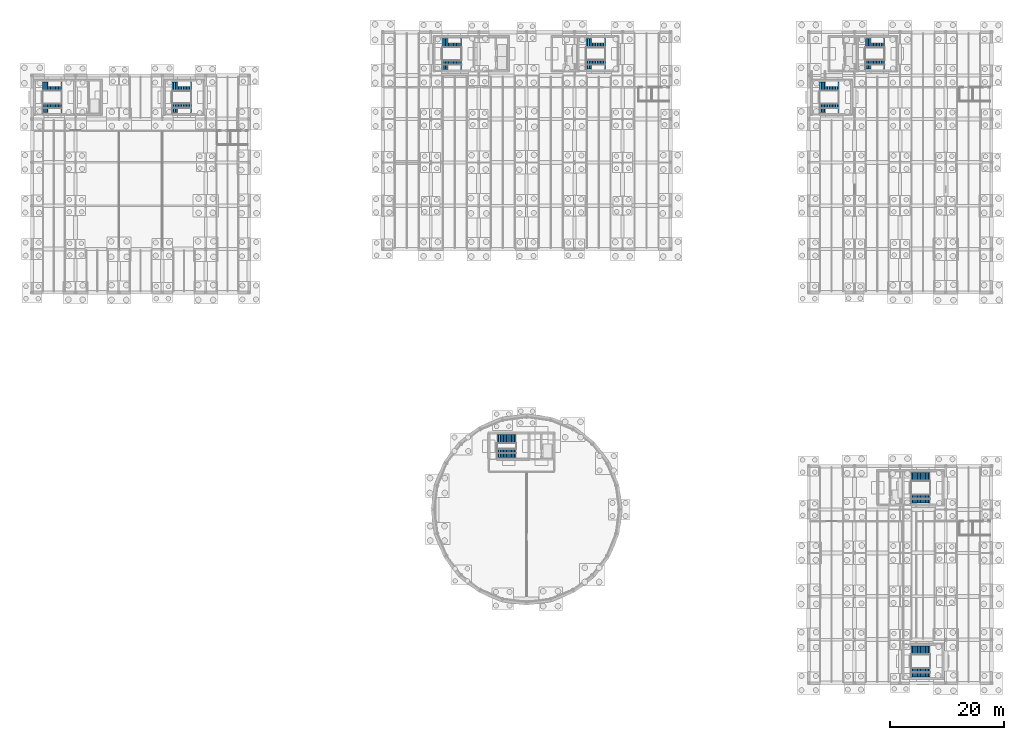
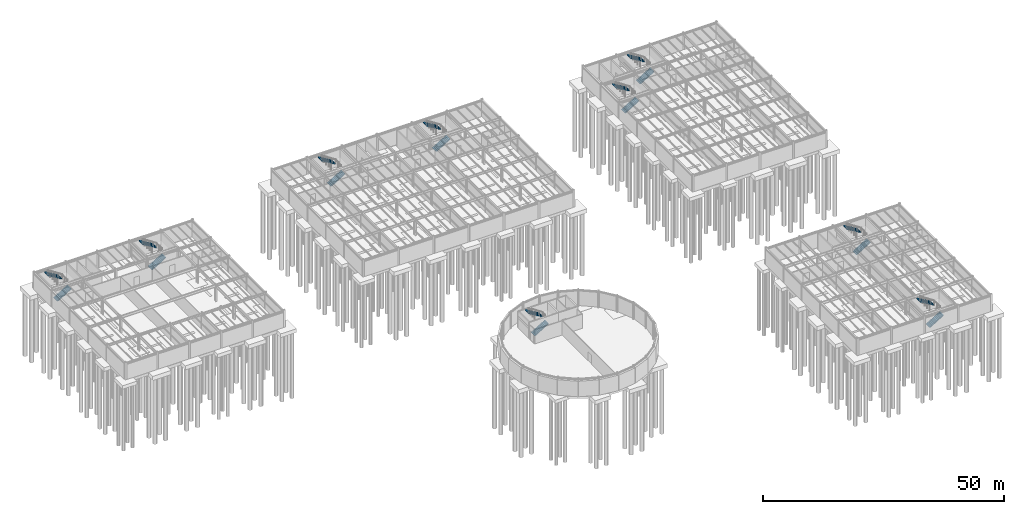
# One storey, part 30 of 33: 18 stair flights, 9 elements without a shape of their own.
"""IFC4 building model written with IfcOpenShell, lengths in metres."""

import ifcopenshell
import ifcopenshell.guid

model = None  # the IFC model being written
_history = None  # IfcOwnerHistory: only IFC2X3 demands one
_inside = {}  # id of a spatial element -> (the spatial element, [elements in it])
_under = {}  # id of a project, library or spatial element -> (it, [spatial elements below it])
_declared = {}  # id of a project -> (the project, [libraries it declares])
_typed = {}  # id of a type object -> (the type object, [elements of that type])
_made_of = {}  # id of a material, layer set ... -> (it, [elements and type objects made of it])


def new_model(schema):
    """Start an empty IFC model of exactly this schema.

    Asked for "IFC4X3", IfcOpenShell would pick the latest addendum, in which some entities
    have other attributes; the version numbers below select the first issue.
    IFC2X3 requires an IfcOwnerHistory on every rooted entity: one is made here for all.
    """
    global model, _history
    if schema == "IFC4X3":
        model = ifcopenshell.file(schema_version=(4, 3, 0, 0))
    else:
        model = ifcopenshell.file(schema=schema)
    _inside.clear()
    _under.clear()
    _declared.clear()
    _typed.clear()
    _made_of.clear()
    _history = None
    if model.schema == "IFC2X3":
        org = make("IfcOrganization", Name="unknown")
        user = make(
            "IfcPersonAndOrganization",
            ThePerson=make("IfcPerson", FamilyName="unknown"),
            TheOrganization=org,
        )
        app = make(
            "IfcApplication",
            ApplicationDeveloper=org,
            Version="unknown",
            ApplicationFullName="unknown",
            ApplicationIdentifier="unknown",
        )
        _history = make(
            "IfcOwnerHistory",
            OwningUser=user,
            OwningApplication=app,
            ChangeAction="ADDED",
            CreationDate=0,
        )
    return model


def make(cls, **values):
    """One entity of the class cls with the attributes given. An attribute that is None is left unset."""
    return model.create_entity(
        cls, **{name: value for name, value in values.items() if value is not None}
    )


def rooted(cls, **values):
    """An entity with a GlobalId (a new one), such as an element, a storey or a relation."""
    return make(cls, GlobalId=ifcopenshell.guid.new(), OwnerHistory=_history, **values)


def si_unit(unit_type, name, prefix=None):
    """IfcSIUnit, for example si_unit("LENGTHUNIT", "METRE", prefix="MILLI")."""
    return make("IfcSIUnit", UnitType=unit_type, Prefix=prefix, Name=name)


def assignment(units):
    """IfcUnitAssignment: the units of a project."""
    return None if units is None else make("IfcUnitAssignment", Units=units)


def point(xyz):
    """IfcCartesianPoint."""
    return None if xyz is None else make("IfcCartesianPoint", Coordinates=xyz)


def direction(xyz):
    """IfcDirection."""
    return None if xyz is None else make("IfcDirection", DirectionRatios=xyz)


def frame(location, z_axis=None, x_axis=None):
    """IfcAxis2Placement3D, a coordinate frame: its origin and axes. An axis left out is left unset."""
    return make(
        "IfcAxis2Placement3D",
        Location=point(location),
        Axis=direction(z_axis),
        RefDirection=direction(x_axis),
    )


def origin():
    """The frame at (0, 0, 0) with its axes left unset."""
    return frame((0.0, 0.0, 0.0))


def place(relative_to, where):
    """IfcLocalPlacement: puts the frame where relative to a parent placement (None: the world)."""
    return make(
        "IfcLocalPlacement", PlacementRelTo=relative_to, RelativePlacement=where
    )


def context(
    kind, dimensions, precision=None, world=None, true_north=None, identifier=None
):
    """IfcGeometricRepresentationContext, for example the 3D "Model" context."""
    return make(
        "IfcGeometricRepresentationContext",
        ContextIdentifier=identifier,
        ContextType=kind,
        CoordinateSpaceDimension=dimensions,
        Precision=precision,
        WorldCoordinateSystem=world,
        TrueNorth=true_north,
    )


def subcontext(parent, identifier, kind, view, scale=None):
    """IfcGeometricRepresentationSubContext, for example "Body" below "Model"."""
    return make(
        "IfcGeometricRepresentationSubContext",
        ContextIdentifier=identifier,
        ContextType=kind,
        ParentContext=parent,
        TargetScale=scale,
        TargetView=view,
    )


def project(units=None, contexts=None):
    """IfcProject with its units and contexts."""
    return rooted(
        "IfcProject",
        Name="project",
        RepresentationContexts=contexts,
        UnitsInContext=assignment(units),
    )


def spatial(cls, under=None, at=None, **own):
    """A site, building, storey or space (cls), placed at a placement, below another one or the project."""
    s = rooted(cls, ObjectPlacement=at, **own)
    if under is not None:
        _under.setdefault(under.id(), (under, []))[1].append(s)
    return s


def polyline(points):
    """IfcPolyline through the points."""
    return make("IfcPolyline", Points=[point(p) for p in points])


def outline(outer, holes=None, kind="AREA"):
    """IfcArbitraryClosedProfileDef: a profile drawn as a closed curve; with holes, ...WithVoids."""
    if holes is None:
        return make("IfcArbitraryClosedProfileDef", ProfileType=kind, OuterCurve=outer)
    return make(
        "IfcArbitraryProfileDefWithVoids",
        ProfileType=kind,
        OuterCurve=outer,
        InnerCurves=holes,
    )


def extrude(swept, where, along, depth):
    """IfcExtrudedAreaSolid: the profile swept, set in the frame where, extruded along a direction by depth."""
    return make(
        "IfcExtrudedAreaSolid",
        SweptArea=swept,
        Position=where,
        ExtrudedDirection=direction(along),
        Depth=depth,
    )


def shape(context_of_items, identifier, shape_type, items):
    """IfcShapeRepresentation: the items that make up one representation, for example the "Body"."""
    return make(
        "IfcShapeRepresentation",
        ContextOfItems=context_of_items,
        RepresentationIdentifier=identifier,
        RepresentationType=shape_type,
        Items=items,
    )


def material(Name=None, Category=None):
    """IfcMaterial."""
    return make("IfcMaterial", Name=Name, Category=Category)


def made_of(thing, what):
    """Note that an element or type object is made of a material, layer set ...; save() writes the relation."""
    if what is not None:
        _made_of.setdefault(what.id(), (what, []))[1].append(thing)
    return thing


def type_object(cls, material=None, **own):
    """A type object (cls), such as IfcWallType, which elements share."""
    return made_of(rooted(cls, **own), material)


def element(
    cls,
    number,
    at=None,
    inside=None,
    cuts=None,
    type_object=None,
    material=None,
    context=None,
    identifier="Body",
    shape_type=None,
    held_by="IfcProductDefinitionShape",
    body=None,
    shapes=None,
    **own,
):
    """One element of the class cls, such as IfcWall. Its Tag is "e" and its number.

    at: its placement. inside: the storey or other place that contains it. cuts: it is an
    opening in that element (IfcRelVoidsElement). A single representation is given by context,
    identifier, shape_type and body (its items); several are given by shapes. held_by: the class
    of the entity that holds the representations. save() writes the other relations.
    """
    e = rooted(cls, Tag="e%d" % number, ObjectPlacement=at, **own)
    if body is not None:
        shapes = [shape(context, identifier, shape_type, body)]
    if shapes is not None:
        e.Representation = make(held_by, Representations=shapes)
    if inside is not None:
        _inside.setdefault(inside.id(), (inside, []))[1].append(e)
    if cuts is not None:
        rooted(
            "IfcRelVoidsElement", RelatingBuildingElement=cuts, RelatedOpeningElement=e
        )
    if type_object is not None:
        _typed.setdefault(type_object.id(), (type_object, []))[1].append(e)
    return made_of(e, material)


def aggregate(whole, parts):
    """IfcRelAggregates: a whole, such as a stair, and the parts it consists of."""
    return rooted("IfcRelAggregates", RelatingObject=whole, RelatedObjects=parts)


def save(model, path):
    """Write the relations noted so far, then the file.

    IfcRelAggregates (storeys below a building ...), IfcRelContainedInSpatialStructure (elements
    in a storey), IfcRelDefinesByType, IfcRelAssociatesMaterial and IfcRelDeclares: one each for
    every whole, place, type object, material and project.
    """
    for whole, parts in _under.values():
        aggregate(whole, parts)
    for where, things in _inside.values():
        rooted(
            "IfcRelContainedInSpatialStructure",
            RelatedElements=things,
            RelatingStructure=where,
        )
    for kind, things in _typed.values():
        rooted("IfcRelDefinesByType", RelatedObjects=things, RelatingType=kind)
    for what, things in _made_of.values():
        rooted("IfcRelAssociatesMaterial", RelatedObjects=things, RelatingMaterial=what)
    for by, libraries in _declared.values():
        rooted("IfcRelDeclares", RelatingContext=by, RelatedDefinitions=libraries)
    model.write(path)


model = new_model("IFC4")

# Units and contexts
model_context = context("Model", 3, precision=1e-05, world=origin(), true_north=direction((0.0, 1.0)))
body_context = subcontext(model_context, "Body", "Model", "MODEL_VIEW")
ifc_project = project(units=[si_unit("LENGTHUNIT", "METRE"), si_unit("AREAUNIT", "SQUARE_METRE"), si_unit("VOLUMEUNIT", "CUBIC_METRE"), si_unit("PLANEANGLEUNIT", "RADIAN"), si_unit("MASSUNIT", "GRAM", prefix="KILO")], contexts=[model_context])

# Site, building, storey
site_placement = place(None, origin())
site = spatial("IfcSite", under=ifc_project, at=site_placement, CompositionType="ELEMENT")
building_placement = place(site_placement, origin())
building = spatial("IfcBuilding", under=site, at=building_placement, Name="Montecoro Central Library", CompositionType="ELEMENT")
storey_placement = place(building_placement, frame((0.0, 0.0, -4.419921875)))
storey = spatial("IfcBuildingStorey", under=building, at=storey_placement, Name="B1", CompositionType="ELEMENT", Elevation=-4.419921875)

# Stair, stair flights
ifc_material = material(Name="Concrete C35/45", Category="concrete")
stair_type_1 = type_object("IfcStairType", Name="STR-RET-150", PredefinedType="HALF_TURN_STAIR", material=ifc_material)
stair_1_placement = place(storey_placement, origin())
stair_1 = element("IfcStair", 1, at=stair_1_placement, inside=storey, type_object=stair_type_1, Name="C1-B1-STR", PredefinedType="HALF_TURN_STAIR")
stair_flight_type_1 = type_object("IfcStairFlightType", Name="SFL-01", PredefinedType="STRAIGHT", material=ifc_material)
stair_flight_1_placement = place(storey_placement, frame((86.419921875, 45.25, 0.0), z_axis=(0.0, 0.0, 1.0), x_axis=(1.0, 0.0, 0.0)))
stair_flight_1 = element("IfcStairFlight", 2, at=stair_flight_1_placement, type_object=stair_flight_type_1, Name="ST-01 flight 1", NumberOfRisers=13, NumberOfTreads=12, PredefinedType="STRAIGHT", RiserHeight=0.17, TreadLength=0.28, context=body_context, shape_type="SweptSolid", body=[
    extrude(outline(polyline([(0.0, 0.0), (0.0, 0.169921875), (0.280029296875, 0.169921875), (0.280029296875, 0.340087890625), (0.56005859375, 0.340087890625), (0.56005859375, 0.510009765625), (0.840087890625, 0.510009765625), (0.840087890625, 0.679931640625), (1.1201171875, 0.679931640625), (1.1201171875, 0.85009765625), (1.39990234375, 0.85009765625), (1.39990234375, 1.02001953125), (1.679931640625, 1.02001953125), (1.679931640625, 1.18994140625), (1.9599609375, 1.18994140625), (1.9599609375, 1.360107421875), (2.239990234375, 1.360107421875), (2.239990234375, 1.530029296875), (2.52001953125, 1.530029296875), (2.52001953125, 1.699951171875), (2.800048828125, 1.699951171875), (2.800048828125, 1.8701171875), (3.080078125, 1.8701171875), (3.080078125, 2.0400390625), (3.360107421875, 2.0400390625), (3.360107421875, 2.2099609375), (3.360107421875, 1.85302734375), (0.30810546875, 0.0), (0.0, 0.0)])), frame((0.0, 0.75, 0.0), z_axis=(0.0, -1.0, 0.0), x_axis=(1.0, 0.0, 0.0)), (0.0, 0.0, 1.0), 1.5),
])
stair_flight_2_placement = place(storey_placement, frame((89.780029296875, 47.75, 2.2099609375), z_axis=(0.0, 0.0, 1.0), x_axis=(-1.0, 0.0, 0.0)))
stair_flight_2 = element("IfcStairFlight", 3, at=stair_flight_2_placement, type_object=stair_flight_type_1, Name="ST-01 flight 2", NumberOfRisers=13, NumberOfTreads=12, PredefinedType="STRAIGHT", RiserHeight=0.17, TreadLength=0.28, context=body_context, shape_type="SweptSolid", body=[
    extrude(outline(polyline([(0.0, 0.0), (0.0, 0.169921875), (0.280029296875, 0.169921875), (0.280029296875, 0.340087890625), (0.56005859375, 0.340087890625), (0.56005859375, 0.510009765625), (0.840087890625, 0.510009765625), (0.840087890625, 0.679931640625), (1.1201171875, 0.679931640625), (1.1201171875, 0.85009765625), (1.39990234375, 0.85009765625), (1.39990234375, 1.02001953125), (1.679931640625, 1.02001953125), (1.679931640625, 1.18994140625), (1.9599609375, 1.18994140625), (1.9599609375, 1.360107421875), (2.239990234375, 1.360107421875), (2.239990234375, 1.530029296875), (2.52001953125, 1.530029296875), (2.52001953125, 1.699951171875), (2.800048828125, 1.699951171875), (2.800048828125, 1.8701171875), (3.080078125, 1.8701171875), (3.080078125, 2.0400390625), (3.360107421875, 2.0400390625), (3.360107421875, 2.2099609375), (3.360107421875, 1.85302734375), (0.30810546875, 0.0), (0.0, 0.0)])), frame((0.0, 0.75, 0.0), z_axis=(0.0, -1.0, 0.0), x_axis=(1.0, 0.0, 0.0)), (0.0, 0.0, 1.0), 1.5),
])
aggregate(stair_1, [stair_flight_1, stair_flight_2])

stair_2_placement = place(storey_placement, origin())
stair_2 = element("IfcStair", 4, at=stair_2_placement, inside=storey, type_object=stair_type_1, Name="C7-B1-STR", PredefinedType="HALF_TURN_STAIR")
stair_flight_3_placement = place(storey_placement, frame((158.919921875, 37.25, 0.0), z_axis=(0.0, 0.0, 1.0), x_axis=(1.0, 0.0, 0.0)))
stair_flight_3 = element("IfcStairFlight", 5, at=stair_flight_3_placement, type_object=stair_flight_type_1, Name="ST-07 flight 1", NumberOfRisers=13, NumberOfTreads=12, PredefinedType="STRAIGHT", RiserHeight=0.17, TreadLength=0.28, context=body_context, shape_type="SweptSolid", body=[
    extrude(outline(polyline([(0.0, 0.0), (0.0, 0.169921875), (0.280029296875, 0.169921875), (0.280029296875, 0.340087890625), (0.56005859375, 0.340087890625), (0.56005859375, 0.510009765625), (0.840087890625, 0.510009765625), (0.840087890625, 0.679931640625), (1.1201171875, 0.679931640625), (1.1201171875, 0.85009765625), (1.39990234375, 0.85009765625), (1.39990234375, 1.02001953125), (1.679931640625, 1.02001953125), (1.679931640625, 1.18994140625), (1.9599609375, 1.18994140625), (1.9599609375, 1.360107421875), (2.239990234375, 1.360107421875), (2.239990234375, 1.530029296875), (2.52001953125, 1.530029296875), (2.52001953125, 1.699951171875), (2.800048828125, 1.699951171875), (2.800048828125, 1.8701171875), (3.080078125, 1.8701171875), (3.080078125, 2.0400390625), (3.360107421875, 2.0400390625), (3.360107421875, 2.2099609375), (3.360107421875, 1.85302734375), (0.30810546875, 0.0), (0.0, 0.0)])), frame((0.0, 0.75, 0.0), z_axis=(0.0, -1.0, 0.0), x_axis=(1.0, 0.0, 0.0)), (0.0, 0.0, 1.0), 1.5),
])
stair_flight_4_placement = place(storey_placement, frame((162.280029296875, 41.14990234375, 2.2099609375), z_axis=(0.0, 0.0, 1.0), x_axis=(-1.0, 0.0, 0.0)))
stair_flight_4 = element("IfcStairFlight", 6, at=stair_flight_4_placement, type_object=stair_flight_type_1, Name="ST-07 flight 2", NumberOfRisers=13, NumberOfTreads=12, PredefinedType="STRAIGHT", RiserHeight=0.17, TreadLength=0.28, context=body_context, shape_type="SweptSolid", body=[
    extrude(outline(polyline([(0.0, 0.0), (0.0, 0.169921875), (0.280029296875, 0.169921875), (0.280029296875, 0.340087890625), (0.56005859375, 0.340087890625), (0.56005859375, 0.510009765625), (0.840087890625, 0.510009765625), (0.840087890625, 0.679931640625), (1.1201171875, 0.679931640625), (1.1201171875, 0.85009765625), (1.39990234375, 0.85009765625), (1.39990234375, 1.02001953125), (1.679931640625, 1.02001953125), (1.679931640625, 1.18994140625), (1.9599609375, 1.18994140625), (1.9599609375, 1.360107421875), (2.239990234375, 1.360107421875), (2.239990234375, 1.530029296875), (2.52001953125, 1.530029296875), (2.52001953125, 1.699951171875), (2.800048828125, 1.699951171875), (2.800048828125, 1.8701171875), (3.080078125, 1.8701171875), (3.080078125, 2.0400390625), (3.360107421875, 2.0400390625), (3.360107421875, 2.2099609375), (3.360107421875, 1.85302734375), (0.30810546875, 0.0), (0.0, 0.0)])), frame((0.0, 0.75, 0.0), z_axis=(0.0, -1.0, 0.0), x_axis=(1.0, 0.0, 0.0)), (0.0, 0.0, 1.0), 1.5),
])
aggregate(stair_2, [stair_flight_3, stair_flight_4])

stair_3_placement = place(storey_placement, origin())
stair_3 = element("IfcStair", 7, at=stair_3_placement, inside=storey, type_object=stair_type_1, Name="C10-B1-STR", PredefinedType="HALF_TURN_STAIR")
stair_flight_5_placement = place(storey_placement, frame((158.919921875, 6.85009765625, 0.0), z_axis=(0.0, 0.0, 1.0), x_axis=(1.0, 0.0, 0.0)))
stair_flight_5 = element("IfcStairFlight", 8, at=stair_flight_5_placement, type_object=stair_flight_type_1, Name="ST-10 flight 1", NumberOfRisers=13, NumberOfTreads=12, PredefinedType="STRAIGHT", RiserHeight=0.17, TreadLength=0.28, context=body_context, shape_type="SweptSolid", body=[
    extrude(outline(polyline([(0.0, 0.0), (0.0, 0.169921875), (0.280029296875, 0.169921875), (0.280029296875, 0.340087890625), (0.56005859375, 0.340087890625), (0.56005859375, 0.510009765625), (0.840087890625, 0.510009765625), (0.840087890625, 0.679931640625), (1.1201171875, 0.679931640625), (1.1201171875, 0.85009765625), (1.39990234375, 0.85009765625), (1.39990234375, 1.02001953125), (1.679931640625, 1.02001953125), (1.679931640625, 1.18994140625), (1.9599609375, 1.18994140625), (1.9599609375, 1.360107421875), (2.239990234375, 1.360107421875), (2.239990234375, 1.530029296875), (2.52001953125, 1.530029296875), (2.52001953125, 1.699951171875), (2.800048828125, 1.699951171875), (2.800048828125, 1.8701171875), (3.080078125, 1.8701171875), (3.080078125, 2.0400390625), (3.360107421875, 2.0400390625), (3.360107421875, 2.2099609375), (3.360107421875, 1.85302734375), (0.30810546875, 0.0), (0.0, 0.0)])), frame((0.0, 0.75, 0.0), z_axis=(0.0, -1.0, 0.0), x_axis=(1.0, 0.0, 0.0)), (0.0, 0.0, 1.0), 1.5),
])
stair_flight_6_placement = place(storey_placement, frame((162.280029296875, 10.75, 2.2099609375), z_axis=(0.0, 0.0, 1.0), x_axis=(-1.0, 0.0, 0.0)))
stair_flight_6 = element("IfcStairFlight", 9, at=stair_flight_6_placement, type_object=stair_flight_type_1, Name="ST-10 flight 2", NumberOfRisers=13, NumberOfTreads=12, PredefinedType="STRAIGHT", RiserHeight=0.17, TreadLength=0.28, context=body_context, shape_type="SweptSolid", body=[
    extrude(outline(polyline([(0.0, 0.0), (0.0, 0.169921875), (0.280029296875, 0.169921875), (0.280029296875, 0.340087890625), (0.56005859375, 0.340087890625), (0.56005859375, 0.510009765625), (0.840087890625, 0.510009765625), (0.840087890625, 0.679931640625), (1.1201171875, 0.679931640625), (1.1201171875, 0.85009765625), (1.39990234375, 0.85009765625), (1.39990234375, 1.02001953125), (1.679931640625, 1.02001953125), (1.679931640625, 1.18994140625), (1.9599609375, 1.18994140625), (1.9599609375, 1.360107421875), (2.239990234375, 1.360107421875), (2.239990234375, 1.530029296875), (2.52001953125, 1.530029296875), (2.52001953125, 1.699951171875), (2.800048828125, 1.699951171875), (2.800048828125, 1.8701171875), (3.080078125, 1.8701171875), (3.080078125, 2.0400390625), (3.360107421875, 2.0400390625), (3.360107421875, 2.2099609375), (3.360107421875, 1.85302734375), (0.30810546875, 0.0), (0.0, 0.0)])), frame((0.0, 0.75, 0.0), z_axis=(0.0, -1.0, 0.0), x_axis=(1.0, 0.0, 0.0)), (0.0, 0.0, 1.0), 1.5),
])
aggregate(stair_3, [stair_flight_5, stair_flight_6])

stair_type_2 = type_object("IfcStairType", Name="STR-RET-155", PredefinedType="HALF_TURN_STAIR", material=ifc_material)
stair_4_placement = place(storey_placement, origin())
stair_4 = element("IfcStair", 10, at=stair_4_placement, inside=storey, type_object=stair_type_2, Name="C2-B1-STR", PredefinedType="HALF_TURN_STAIR")
stair_flight_type_2 = type_object("IfcStairFlightType", Name="SFL-02", PredefinedType="STRAIGHT", material=ifc_material)
stair_flight_7_placement = place(storey_placement, frame((76.820068359375, 113.27490234375, 0.0), z_axis=(0.0, 0.0, 1.0), x_axis=(1.0, 0.0, 0.0)))
stair_flight_7 = element("IfcStairFlight", 11, at=stair_flight_7_placement, type_object=stair_flight_type_2, Name="ST-02 flight 1", NumberOfRisers=13, NumberOfTreads=12, PredefinedType="STRAIGHT", RiserHeight=0.17, TreadLength=0.28, context=body_context, shape_type="SweptSolid", body=[
    extrude(outline(polyline([(0.0, 0.0), (0.0, 0.169921875), (0.280029296875, 0.169921875), (0.280029296875, 0.340087890625), (0.56005859375, 0.340087890625), (0.56005859375, 0.510009765625), (0.840087890625, 0.510009765625), (0.840087890625, 0.679931640625), (1.1201171875, 0.679931640625), (1.1201171875, 0.85009765625), (1.39990234375, 0.85009765625), (1.39990234375, 1.02001953125), (1.679931640625, 1.02001953125), (1.679931640625, 1.18994140625), (1.9599609375, 1.18994140625), (1.9599609375, 1.360107421875), (2.239990234375, 1.360107421875), (2.239990234375, 1.530029296875), (2.52001953125, 1.530029296875), (2.52001953125, 1.699951171875), (2.800048828125, 1.699951171875), (2.800048828125, 1.8701171875), (3.080078125, 1.8701171875), (3.080078125, 2.0400390625), (3.360107421875, 2.0400390625), (3.360107421875, 2.2099609375), (3.360107421875, 1.85302734375), (0.30810546875, 0.0), (0.0, 0.0)])), frame((0.0, 0.77490234375, 0.0), z_axis=(0.0, -1.0, 0.0), x_axis=(1.0, 0.0, 0.0)), (0.0, 0.0, 1.0), 1.550048828125),
])
stair_flight_8_placement = place(storey_placement, frame((80.179931640625, 117.125, 2.2099609375), z_axis=(0.0, 0.0, 1.0), x_axis=(-1.0, 0.0, 0.0)))
stair_flight_8 = element("IfcStairFlight", 12, at=stair_flight_8_placement, type_object=stair_flight_type_2, Name="ST-02 flight 2", NumberOfRisers=13, NumberOfTreads=12, PredefinedType="STRAIGHT", RiserHeight=0.17, TreadLength=0.28, context=body_context, shape_type="SweptSolid", body=[
    extrude(outline(polyline([(0.0, 0.0), (0.0, 0.169921875), (0.280029296875, 0.169921875), (0.280029296875, 0.340087890625), (0.56005859375, 0.340087890625), (0.56005859375, 0.510009765625), (0.840087890625, 0.510009765625), (0.840087890625, 0.679931640625), (1.1201171875, 0.679931640625), (1.1201171875, 0.85009765625), (1.39990234375, 0.85009765625), (1.39990234375, 1.02001953125), (1.679931640625, 1.02001953125), (1.679931640625, 1.18994140625), (1.9599609375, 1.18994140625), (1.9599609375, 1.360107421875), (2.239990234375, 1.360107421875), (2.239990234375, 1.530029296875), (2.52001953125, 1.530029296875), (2.52001953125, 1.699951171875), (2.800048828125, 1.699951171875), (2.800048828125, 1.8701171875), (3.080078125, 1.8701171875), (3.080078125, 2.0400390625), (3.360107421875, 2.0400390625), (3.360107421875, 2.2099609375), (3.360107421875, 1.85302734375), (0.30810546875, 0.0), (0.0, 0.0)])), frame((0.0, 0.77490234375, 0.0), z_axis=(0.0, -1.0, 0.0), x_axis=(1.0, 0.0, 0.0)), (0.0, 0.0, 1.0), 1.550048828125),
])
aggregate(stair_4, [stair_flight_7, stair_flight_8])

stair_5_placement = place(storey_placement, origin())
stair_5 = element("IfcStair", 13, at=stair_5_placement, inside=storey, type_object=stair_type_2, Name="C5-B1-STR", PredefinedType="HALF_TURN_STAIR")
stair_flight_9_placement = place(storey_placement, frame((6.840087890625, 105.675048828125, 0.0), z_axis=(0.0, 0.0, 1.0), x_axis=(1.0, 0.0, 0.0)))
stair_flight_9 = element("IfcStairFlight", 14, at=stair_flight_9_placement, type_object=stair_flight_type_2, Name="ST-05 flight 1", NumberOfRisers=13, NumberOfTreads=12, PredefinedType="STRAIGHT", RiserHeight=0.17, TreadLength=0.28, context=body_context, shape_type="SweptSolid", body=[
    extrude(outline(polyline([(0.0, 0.0), (0.0, 0.169921875), (0.280029296875, 0.169921875), (0.280029296875, 0.340087890625), (0.56005859375, 0.340087890625), (0.56005859375, 0.510009765625), (0.840087890625, 0.510009765625), (0.840087890625, 0.679931640625), (1.1201171875, 0.679931640625), (1.1201171875, 0.85009765625), (1.39990234375, 0.85009765625), (1.39990234375, 1.02001953125), (1.679931640625, 1.02001953125), (1.679931640625, 1.18994140625), (1.9599609375, 1.18994140625), (1.9599609375, 1.360107421875), (2.239990234375, 1.360107421875), (2.239990234375, 1.530029296875), (2.52001953125, 1.530029296875), (2.52001953125, 1.699951171875), (2.800048828125, 1.699951171875), (2.800048828125, 1.8701171875), (3.080078125, 1.8701171875), (3.080078125, 2.0400390625), (3.360107421875, 2.0400390625), (3.360107421875, 2.2099609375), (3.360107421875, 1.85302734375), (0.30810546875, 0.0), (0.0, 0.0)])), frame((0.0, 0.77490234375, 0.0), z_axis=(0.0, -1.0, 0.0), x_axis=(1.0, 0.0, 0.0)), (0.0, 0.0, 1.0), 1.550048828125),
])
stair_flight_10_placement = place(storey_placement, frame((10.199951171875, 109.52490234375, 2.2099609375), z_axis=(0.0, 0.0, 1.0), x_axis=(-1.0, 0.0, 0.0)))
stair_flight_10 = element("IfcStairFlight", 15, at=stair_flight_10_placement, type_object=stair_flight_type_2, Name="ST-05 flight 2", NumberOfRisers=13, NumberOfTreads=12, PredefinedType="STRAIGHT", RiserHeight=0.17, TreadLength=0.28, context=body_context, shape_type="SweptSolid", body=[
    extrude(outline(polyline([(0.0, 0.0), (0.0, 0.169921875), (0.280029296875, 0.169921875), (0.280029296875, 0.340087890625), (0.56005859375, 0.340087890625), (0.56005859375, 0.510009765625), (0.840087890625, 0.510009765625), (0.840087890625, 0.679931640625), (1.1201171875, 0.679931640625), (1.1201171875, 0.85009765625), (1.39990234375, 0.85009765625), (1.39990234375, 1.02001953125), (1.679931640625, 1.02001953125), (1.679931640625, 1.18994140625), (1.9599609375, 1.18994140625), (1.9599609375, 1.360107421875), (2.239990234375, 1.360107421875), (2.239990234375, 1.530029296875), (2.52001953125, 1.530029296875), (2.52001953125, 1.699951171875), (2.800048828125, 1.699951171875), (2.800048828125, 1.8701171875), (3.080078125, 1.8701171875), (3.080078125, 2.0400390625), (3.360107421875, 2.0400390625), (3.360107421875, 2.2099609375), (3.360107421875, 1.85302734375), (0.30810546875, 0.0), (0.0, 0.0)])), frame((0.0, 0.77490234375, 0.0), z_axis=(0.0, -1.0, 0.0), x_axis=(1.0, 0.0, 0.0)), (0.0, 0.0, 1.0), 1.550048828125),
])
aggregate(stair_5, [stair_flight_9, stair_flight_10])

stair_6_placement = place(storey_placement, origin())
stair_6 = element("IfcStair", 16, at=stair_6_placement, inside=storey, type_object=stair_type_2, Name="C8-B1-STR", PredefinedType="HALF_TURN_STAIR")
stair_flight_11_placement = place(storey_placement, frame((142.919921875, 105.675048828125, 0.0), z_axis=(0.0, 0.0, 1.0), x_axis=(1.0, 0.0, 0.0)))
stair_flight_11 = element("IfcStairFlight", 17, at=stair_flight_11_placement, type_object=stair_flight_type_2, Name="ST-08 flight 1", NumberOfRisers=13, NumberOfTreads=12, PredefinedType="STRAIGHT", RiserHeight=0.17, TreadLength=0.28, context=body_context, shape_type="SweptSolid", body=[
    extrude(outline(polyline([(0.0, 0.0), (0.0, 0.169921875), (0.280029296875, 0.169921875), (0.280029296875, 0.340087890625), (0.56005859375, 0.340087890625), (0.56005859375, 0.510009765625), (0.840087890625, 0.510009765625), (0.840087890625, 0.679931640625), (1.1201171875, 0.679931640625), (1.1201171875, 0.85009765625), (1.39990234375, 0.85009765625), (1.39990234375, 1.02001953125), (1.679931640625, 1.02001953125), (1.679931640625, 1.18994140625), (1.9599609375, 1.18994140625), (1.9599609375, 1.360107421875), (2.239990234375, 1.360107421875), (2.239990234375, 1.530029296875), (2.52001953125, 1.530029296875), (2.52001953125, 1.699951171875), (2.800048828125, 1.699951171875), (2.800048828125, 1.8701171875), (3.080078125, 1.8701171875), (3.080078125, 2.0400390625), (3.360107421875, 2.0400390625), (3.360107421875, 2.2099609375), (3.360107421875, 1.85302734375), (0.30810546875, 0.0), (0.0, 0.0)])), frame((0.0, 0.77490234375, 0.0), z_axis=(0.0, -1.0, 0.0), x_axis=(1.0, 0.0, 0.0)), (0.0, 0.0, 1.0), 1.550048828125),
])
stair_flight_12_placement = place(storey_placement, frame((146.280029296875, 109.52490234375, 2.2099609375), z_axis=(0.0, 0.0, 1.0), x_axis=(-1.0, 0.0, 0.0)))
stair_flight_12 = element("IfcStairFlight", 18, at=stair_flight_12_placement, type_object=stair_flight_type_2, Name="ST-08 flight 2", NumberOfRisers=13, NumberOfTreads=12, PredefinedType="STRAIGHT", RiserHeight=0.17, TreadLength=0.28, context=body_context, shape_type="SweptSolid", body=[
    extrude(outline(polyline([(0.0, 0.0), (0.0, 0.169921875), (0.280029296875, 0.169921875), (0.280029296875, 0.340087890625), (0.56005859375, 0.340087890625), (0.56005859375, 0.510009765625), (0.840087890625, 0.510009765625), (0.840087890625, 0.679931640625), (1.1201171875, 0.679931640625), (1.1201171875, 0.85009765625), (1.39990234375, 0.85009765625), (1.39990234375, 1.02001953125), (1.679931640625, 1.02001953125), (1.679931640625, 1.18994140625), (1.9599609375, 1.18994140625), (1.9599609375, 1.360107421875), (2.239990234375, 1.360107421875), (2.239990234375, 1.530029296875), (2.52001953125, 1.530029296875), (2.52001953125, 1.699951171875), (2.800048828125, 1.699951171875), (2.800048828125, 1.8701171875), (3.080078125, 1.8701171875), (3.080078125, 2.0400390625), (3.360107421875, 2.0400390625), (3.360107421875, 2.2099609375), (3.360107421875, 1.85302734375), (0.30810546875, 0.0), (0.0, 0.0)])), frame((0.0, 0.77490234375, 0.0), z_axis=(0.0, -1.0, 0.0), x_axis=(1.0, 0.0, 0.0)), (0.0, 0.0, 1.0), 1.550048828125),
])
aggregate(stair_6, [stair_flight_11, stair_flight_12])

stair_type_3 = type_object("IfcStairType", Name="STR-RET-160", PredefinedType="HALF_TURN_STAIR", material=ifc_material)
stair_7_placement = place(storey_placement, origin())
stair_7 = element("IfcStair", 19, at=stair_7_placement, inside=storey, type_object=stair_type_3, Name="C3-B1-STR", PredefinedType="HALF_TURN_STAIR")
stair_flight_type_3 = type_object("IfcStairFlightType", Name="SFL-03", PredefinedType="STRAIGHT", material=ifc_material)
stair_flight_13_placement = place(storey_placement, frame((102.02001953125, 113.300048828125, 0.0), z_axis=(0.0, 0.0, 1.0), x_axis=(1.0, 0.0, 0.0)))
stair_flight_13 = element("IfcStairFlight", 20, at=stair_flight_13_placement, type_object=stair_flight_type_3, Name="ST-03 flight 1", NumberOfRisers=13, NumberOfTreads=12, PredefinedType="STRAIGHT", RiserHeight=0.17, TreadLength=0.28, context=body_context, shape_type="SweptSolid", body=[
    extrude(outline(polyline([(0.0, 0.0), (0.0, 0.169921875), (0.280029296875, 0.169921875), (0.280029296875, 0.340087890625), (0.56005859375, 0.340087890625), (0.56005859375, 0.510009765625), (0.840087890625, 0.510009765625), (0.840087890625, 0.679931640625), (1.1201171875, 0.679931640625), (1.1201171875, 0.85009765625), (1.39990234375, 0.85009765625), (1.39990234375, 1.02001953125), (1.679931640625, 1.02001953125), (1.679931640625, 1.18994140625), (1.9599609375, 1.18994140625), (1.9599609375, 1.360107421875), (2.239990234375, 1.360107421875), (2.239990234375, 1.530029296875), (2.52001953125, 1.530029296875), (2.52001953125, 1.699951171875), (2.800048828125, 1.699951171875), (2.800048828125, 1.8701171875), (3.080078125, 1.8701171875), (3.080078125, 2.0400390625), (3.360107421875, 2.0400390625), (3.360107421875, 2.2099609375), (3.360107421875, 1.85302734375), (0.30810546875, 0.0), (0.0, 0.0)])), frame((0.0, 0.800048828125, 0.0), z_axis=(0.0, -1.0, 0.0), x_axis=(1.0, 0.0, 0.0)), (0.0, 0.0, 1.0), 1.60009765625),
])
stair_flight_14_placement = place(storey_placement, frame((105.3798828125, 117.10009765625, 2.2099609375), z_axis=(0.0, 0.0, 1.0), x_axis=(-1.0, 0.0, 0.0)))
stair_flight_14 = element("IfcStairFlight", 21, at=stair_flight_14_placement, type_object=stair_flight_type_3, Name="ST-03 flight 2", NumberOfRisers=13, NumberOfTreads=12, PredefinedType="STRAIGHT", RiserHeight=0.17, TreadLength=0.28, context=body_context, shape_type="SweptSolid", body=[
    extrude(outline(polyline([(0.0, 0.0), (0.0, 0.169921875), (0.280029296875, 0.169921875), (0.280029296875, 0.340087890625), (0.56005859375, 0.340087890625), (0.56005859375, 0.510009765625), (0.840087890625, 0.510009765625), (0.840087890625, 0.679931640625), (1.1201171875, 0.679931640625), (1.1201171875, 0.85009765625), (1.39990234375, 0.85009765625), (1.39990234375, 1.02001953125), (1.679931640625, 1.02001953125), (1.679931640625, 1.18994140625), (1.9599609375, 1.18994140625), (1.9599609375, 1.360107421875), (2.239990234375, 1.360107421875), (2.239990234375, 1.530029296875), (2.52001953125, 1.530029296875), (2.52001953125, 1.699951171875), (2.800048828125, 1.699951171875), (2.800048828125, 1.8701171875), (3.080078125, 1.8701171875), (3.080078125, 2.0400390625), (3.360107421875, 2.0400390625), (3.360107421875, 2.2099609375), (3.360107421875, 1.85302734375), (0.30810546875, 0.0), (0.0, 0.0)])), frame((0.0, 0.800048828125, 0.0), z_axis=(0.0, -1.0, 0.0), x_axis=(1.0, 0.0, 0.0)), (0.0, 0.0, 1.0), 1.60009765625),
])
aggregate(stair_7, [stair_flight_13, stair_flight_14])

stair_8_placement = place(storey_placement, origin())
stair_8 = element("IfcStair", 22, at=stair_8_placement, inside=storey, type_object=stair_type_3, Name="C6-B1-STR", PredefinedType="HALF_TURN_STAIR")
stair_flight_15_placement = place(storey_placement, frame((150.919921875, 113.300048828125, 0.0), z_axis=(0.0, 0.0, 1.0), x_axis=(1.0, 0.0, 0.0)))
stair_flight_15 = element("IfcStairFlight", 23, at=stair_flight_15_placement, type_object=stair_flight_type_3, Name="ST-06 flight 1", NumberOfRisers=13, NumberOfTreads=12, PredefinedType="STRAIGHT", RiserHeight=0.17, TreadLength=0.28, context=body_context, shape_type="SweptSolid", body=[
    extrude(outline(polyline([(0.0, 0.0), (0.0, 0.169921875), (0.280029296875, 0.169921875), (0.280029296875, 0.340087890625), (0.56005859375, 0.340087890625), (0.56005859375, 0.510009765625), (0.840087890625, 0.510009765625), (0.840087890625, 0.679931640625), (1.1201171875, 0.679931640625), (1.1201171875, 0.85009765625), (1.39990234375, 0.85009765625), (1.39990234375, 1.02001953125), (1.679931640625, 1.02001953125), (1.679931640625, 1.18994140625), (1.9599609375, 1.18994140625), (1.9599609375, 1.360107421875), (2.239990234375, 1.360107421875), (2.239990234375, 1.530029296875), (2.52001953125, 1.530029296875), (2.52001953125, 1.699951171875), (2.800048828125, 1.699951171875), (2.800048828125, 1.8701171875), (3.080078125, 1.8701171875), (3.080078125, 2.0400390625), (3.360107421875, 2.0400390625), (3.360107421875, 2.2099609375), (3.360107421875, 1.85302734375), (0.30810546875, 0.0), (0.0, 0.0)])), frame((0.0, 0.800048828125, 0.0), z_axis=(0.0, -1.0, 0.0), x_axis=(1.0, 0.0, 0.0)), (0.0, 0.0, 1.0), 1.60009765625),
])
stair_flight_16_placement = place(storey_placement, frame((154.280029296875, 117.10009765625, 2.2099609375), z_axis=(0.0, 0.0, 1.0), x_axis=(-1.0, 0.0, 0.0)))
stair_flight_16 = element("IfcStairFlight", 24, at=stair_flight_16_placement, type_object=stair_flight_type_3, Name="ST-06 flight 2", NumberOfRisers=13, NumberOfTreads=12, PredefinedType="STRAIGHT", RiserHeight=0.17, TreadLength=0.28, context=body_context, shape_type="SweptSolid", body=[
    extrude(outline(polyline([(0.0, 0.0), (0.0, 0.169921875), (0.280029296875, 0.169921875), (0.280029296875, 0.340087890625), (0.56005859375, 0.340087890625), (0.56005859375, 0.510009765625), (0.840087890625, 0.510009765625), (0.840087890625, 0.679931640625), (1.1201171875, 0.679931640625), (1.1201171875, 0.85009765625), (1.39990234375, 0.85009765625), (1.39990234375, 1.02001953125), (1.679931640625, 1.02001953125), (1.679931640625, 1.18994140625), (1.9599609375, 1.18994140625), (1.9599609375, 1.360107421875), (2.239990234375, 1.360107421875), (2.239990234375, 1.530029296875), (2.52001953125, 1.530029296875), (2.52001953125, 1.699951171875), (2.800048828125, 1.699951171875), (2.800048828125, 1.8701171875), (3.080078125, 1.8701171875), (3.080078125, 2.0400390625), (3.360107421875, 2.0400390625), (3.360107421875, 2.2099609375), (3.360107421875, 1.85302734375), (0.30810546875, 0.0), (0.0, 0.0)])), frame((0.0, 0.800048828125, 0.0), z_axis=(0.0, -1.0, 0.0), x_axis=(1.0, 0.0, 0.0)), (0.0, 0.0, 1.0), 1.60009765625),
])
aggregate(stair_8, [stair_flight_15, stair_flight_16])

stair_9_placement = place(storey_placement, origin())
stair_9 = element("IfcStair", 25, at=stair_9_placement, inside=storey, type_object=stair_type_3, Name="C9-B1-STR", PredefinedType="HALF_TURN_STAIR")
stair_flight_17_placement = place(storey_placement, frame((29.52001953125, 105.699951171875, 0.0), z_axis=(0.0, 0.0, 1.0), x_axis=(1.0, 0.0, 0.0)))
stair_flight_17 = element("IfcStairFlight", 26, at=stair_flight_17_placement, type_object=stair_flight_type_3, Name="ST-09 flight 1", NumberOfRisers=13, NumberOfTreads=12, PredefinedType="STRAIGHT", RiserHeight=0.17, TreadLength=0.28, context=body_context, shape_type="SweptSolid", body=[
    extrude(outline(polyline([(0.0, 0.0), (0.0, 0.169921875), (0.280029296875, 0.169921875), (0.280029296875, 0.340087890625), (0.56005859375, 0.340087890625), (0.56005859375, 0.510009765625), (0.840087890625, 0.510009765625), (0.840087890625, 0.679931640625), (1.1201171875, 0.679931640625), (1.1201171875, 0.85009765625), (1.39990234375, 0.85009765625), (1.39990234375, 1.02001953125), (1.679931640625, 1.02001953125), (1.679931640625, 1.18994140625), (1.9599609375, 1.18994140625), (1.9599609375, 1.360107421875), (2.239990234375, 1.360107421875), (2.239990234375, 1.530029296875), (2.52001953125, 1.530029296875), (2.52001953125, 1.699951171875), (2.800048828125, 1.699951171875), (2.800048828125, 1.8701171875), (3.080078125, 1.8701171875), (3.080078125, 2.0400390625), (3.360107421875, 2.0400390625), (3.360107421875, 2.2099609375), (3.360107421875, 1.85302734375), (0.30810546875, 0.0), (0.0, 0.0)])), frame((0.0, 0.800048828125, 0.0), z_axis=(0.0, -1.0, 0.0), x_axis=(1.0, 0.0, 0.0)), (0.0, 0.0, 1.0), 1.60009765625),
])
stair_flight_18_placement = place(storey_placement, frame((32.8798828125, 109.5, 2.2099609375), z_axis=(0.0, 0.0, 1.0), x_axis=(-1.0, 0.0, 0.0)))
stair_flight_18 = element("IfcStairFlight", 27, at=stair_flight_18_placement, type_object=stair_flight_type_3, Name="ST-09 flight 2", NumberOfRisers=13, NumberOfTreads=12, PredefinedType="STRAIGHT", RiserHeight=0.17, TreadLength=0.28, context=body_context, shape_type="SweptSolid", body=[
    extrude(outline(polyline([(0.0, 0.0), (0.0, 0.169921875), (0.280029296875, 0.169921875), (0.280029296875, 0.340087890625), (0.56005859375, 0.340087890625), (0.56005859375, 0.510009765625), (0.840087890625, 0.510009765625), (0.840087890625, 0.679931640625), (1.1201171875, 0.679931640625), (1.1201171875, 0.85009765625), (1.39990234375, 0.85009765625), (1.39990234375, 1.02001953125), (1.679931640625, 1.02001953125), (1.679931640625, 1.18994140625), (1.9599609375, 1.18994140625), (1.9599609375, 1.360107421875), (2.239990234375, 1.360107421875), (2.239990234375, 1.530029296875), (2.52001953125, 1.530029296875), (2.52001953125, 1.699951171875), (2.800048828125, 1.699951171875), (2.800048828125, 1.8701171875), (3.080078125, 1.8701171875), (3.080078125, 2.0400390625), (3.360107421875, 2.0400390625), (3.360107421875, 2.2099609375), (3.360107421875, 1.85302734375), (0.30810546875, 0.0), (0.0, 0.0)])), frame((0.0, 0.800048828125, 0.0), z_axis=(0.0, -1.0, 0.0), x_axis=(1.0, 0.0, 0.0)), (0.0, 0.0, 1.0), 1.60009765625),
])
aggregate(stair_9, [stair_flight_17, stair_flight_18])

save(model, "model.ifc")
